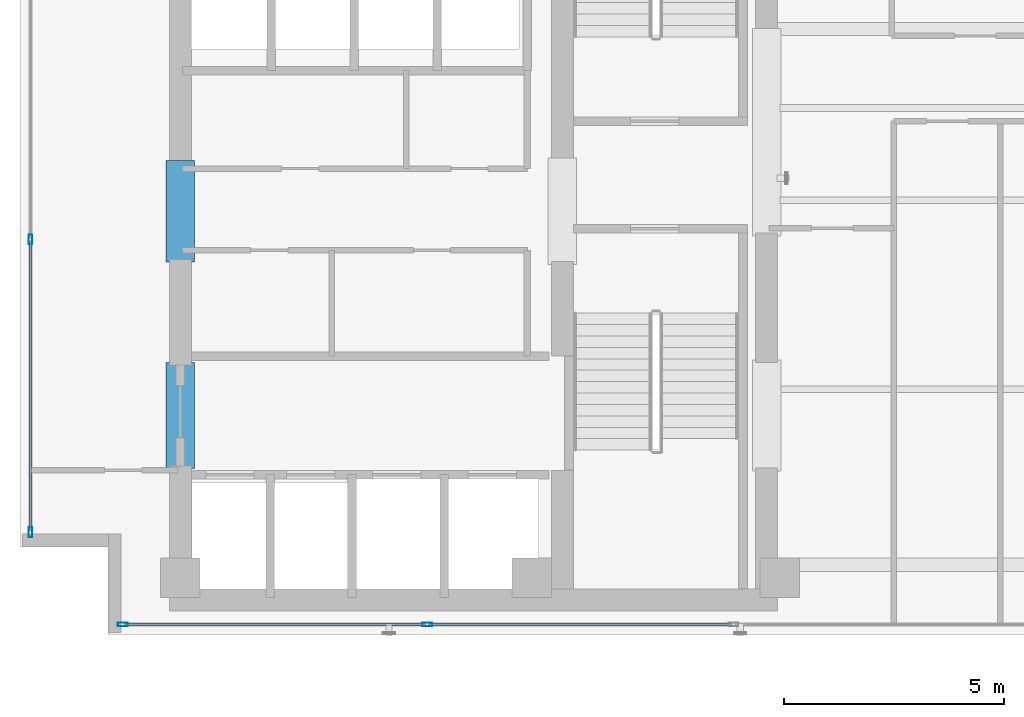
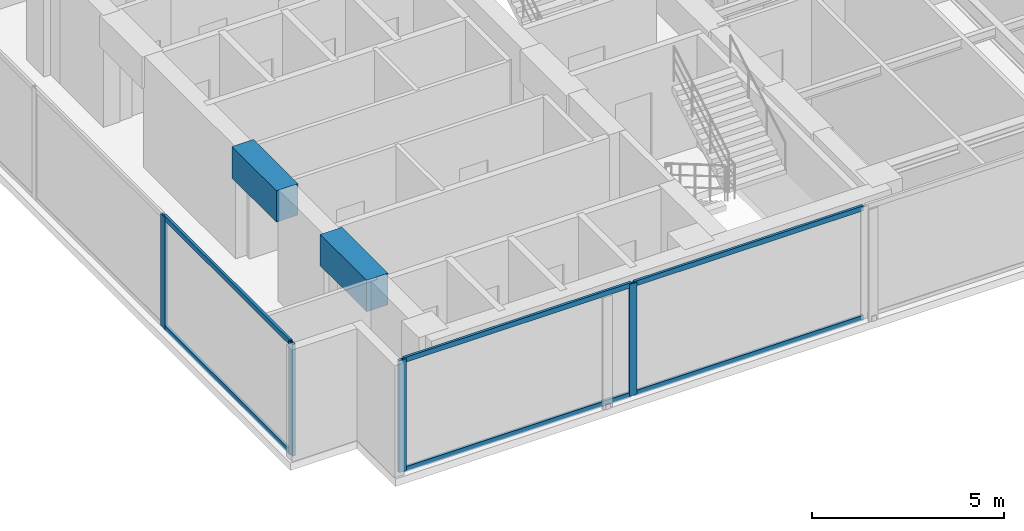
# One storey, part 2 of 24: 10 members, 2 beams, 2 elements without a shape of their own.
"""IFC4 building model written with IfcOpenShell, lengths in metres."""

from ifc_helpers import new_model, si_unit, direction, frame, origin, origin_with_axes, origin_2d, place, context, subcontext, project, spatial, rectangle, hollow_rectangle, extrude, source, transform, mapped, material, layer, layer_set, material_profile, profile_set, type_object, element, aggregate, save


model = new_model("IFC4")

# Units and contexts
model_context = context("Model", 3, precision=1e-05, world=origin(), true_north=direction((0.0, 1.0)))
body_context = subcontext(model_context, "Body", "Model", "MODEL_VIEW")
ifc_project = project(units=[si_unit("LENGTHUNIT", "METRE"), si_unit("AREAUNIT", "SQUARE_METRE"), si_unit("VOLUMEUNIT", "CUBIC_METRE"), si_unit("PLANEANGLEUNIT", "RADIAN"), si_unit("MASSUNIT", "GRAM", prefix="KILO")], contexts=[model_context])

# Site, building, storey
site_placement = place(None, origin())
site = spatial("IfcSite", under=ifc_project, at=site_placement, CompositionType="ELEMENT")
building_placement = place(site_placement, origin())
building = spatial("IfcBuilding", under=site, at=building_placement, Name="Kolvaren Waterfront Exchange", CompositionType="ELEMENT")
storey_placement = place(building_placement, frame((0.0, 0.0, 300.800048828125)))
storey = spatial("IfcBuildingStorey", under=building, at=storey_placement, Name="L77", CompositionType="ELEMENT", Elevation=300.800048828125)

# Beams
ifc_material_1 = material(Name="Concrete C60/75", Category="concrete")
ifc_material_profile_1 = material_profile(ifc_material_1, rectangle(XDim=0.64990234375, YDim=1.0, at=origin_2d()), Name="RC-CB-1000x650")
ifc_profile_set_1 = profile_set([ifc_material_profile_1], Name="Concrete C60/75")
beam_type = type_object("IfcBeamType", Name="STR-CB-1000", PredefinedType="SPANDREL", material=ifc_profile_set_1)
beam_1_placement = place(storey_placement, frame((7.449951171875, 7.389892578125, 3.06005859375), z_axis=(0.0, 1.0, 0.0), x_axis=(-1.0, 0.0, 0.0)))
element("IfcBeam", 1, at=beam_1_placement, inside=storey, type_object=beam_type, Name="L77 core coupling beam 3", PredefinedType="SPANDREL", context=body_context, shape_type="SweptSolid", body=[
    extrude(rectangle(XDim=0.64990234375, YDim=1.0, at=origin_2d()), origin(), (0.0, 0.0, 1.0), 2.420166015625),
])
beam_2_placement = place(storey_placement, frame((7.449951171875, 12.090087890625, 3.06005859375), z_axis=(0.0, 1.0, 0.0), x_axis=(-1.0, 0.0, 0.0)))
element("IfcBeam", 2, at=beam_2_placement, inside=storey, type_object=beam_type, Name="L77 core coupling beam 4", PredefinedType="SPANDREL", context=body_context, shape_type="SweptSolid", body=[
    extrude(rectangle(XDim=0.64990234375, YDim=1.0, at=origin_2d()), origin(), (0.0, 0.0, 1.0), 2.31982421875),
])

# Curtain wall, members
ifc_material_2 = material(Name="Anodised bronze aluminium 6063-T6", Category="aluminium")
ifc_layer_1 = layer(ifc_material_2, 0.219970703125, Name="Anodised bronze aluminium 6063-T6")
ifc_layer_set_1 = layer_set([ifc_layer_1], Name="Anodised bronze aluminium 6063-T6")
curtain_wall_type_1 = type_object("IfcCurtainWallType", Name="ARC-CW-SYS1", PredefinedType="USERDEFINED", material=ifc_layer_set_1)
curtain_wall_1_placement = place(storey_placement, origin())
curtain_wall_1 = element("IfcCurtainWall", 3, at=curtain_wall_1_placement, inside=storey, type_object=curtain_wall_type_1, Name="L77 stick curtain wall CW1 (CW-L77-S)", ObjectType="STICK CURTAIN WALL", PredefinedType="USERDEFINED")
ifc_material_3 = material(Name="Anodised aluminium 6063-T6", Category="aluminium")
ifc_material_profile_2 = material_profile(ifc_material_3, hollow_rectangle(XDim=0.080078125, YDim=0.219970703125, WallThickness=0.0048828125, at=origin_2d()), Name="ALU-MUL-220x80x5")
ifc_profile_set_2 = profile_set([ifc_material_profile_2], Name="Anodised aluminium 6063-T6")
member_type_1 = type_object("IfcMemberType", Name="ARC-CWM-220", PredefinedType="MULLION", material=ifc_profile_set_2)
shared_shape_1 = source(origin_with_axes(), body_context, "Body", "SweptSolid", [
    extrude(hollow_rectangle(XDim=0.080078125, YDim=0.219970703125, WallThickness=0.0048828125, at=origin_2d()), origin(), (0.0, 0.0, 1.0), 3.56005859375),
])
member_1_placement = place(storey_placement, frame((6.139892578125, 3.840087890625, 0.0), z_axis=(0.0, 0.0, 1.0), x_axis=(0.0, 1.0, 0.0)))
member_1 = element("IfcMember", 4, at=member_1_placement, type_object=member_type_1, Name="CW1 mullion 1", PredefinedType="MULLION", context=body_context, shape_type="MappedRepresentation", body=[
    mapped(shared_shape_1, transform((0.0, 0.0, 0.0), x_axis=(1.0, 0.0, 0.0), y_axis=(0.0, 1.0, 0.0), z_axis=(0.0, 0.0, 1.0), scale=1.0)),
])
member_2_placement = place(storey_placement, frame((13.072021484375, 3.840087890625, 0.0), z_axis=(0.0, 0.0, 1.0), x_axis=(0.0, 1.0, 0.0)))
member_2 = element("IfcMember", 5, at=member_2_placement, type_object=member_type_1, Name="CW1 mullion 2", PredefinedType="MULLION", context=body_context, shape_type="MappedRepresentation", body=[
    mapped(shared_shape_1, transform((0.0, 0.0, 0.0), x_axis=(1.0, 0.0, 0.0), y_axis=(0.0, 1.0, 0.0), z_axis=(0.0, 0.0, 1.0), scale=1.0)),
])

ifc_layer_2 = layer(ifc_material_3, 0.219970703125, Name="Anodised aluminium 6063-T6")
ifc_layer_set_2 = layer_set([ifc_layer_2], Name="Anodised aluminium 6063-T6")
curtain_wall_type_2 = type_object("IfcCurtainWallType", Name="ARC-CW-SYS2", PredefinedType="USERDEFINED", material=ifc_layer_set_2)
curtain_wall_2_placement = place(storey_placement, origin())
curtain_wall_2 = element("IfcCurtainWall", 6, at=curtain_wall_2_placement, inside=storey, type_object=curtain_wall_type_2, Name="L77 stick curtain wall CW2 (CW-L77-W)", ObjectType="STICK CURTAIN WALL", PredefinedType="USERDEFINED")
member_3_placement = place(storey_placement, frame((4.0400390625, 5.93994140625, 0.0), z_axis=(0.0, 0.0, 1.0), x_axis=(-1.0, 0.0, 0.0)))
member_3 = element("IfcMember", 7, at=member_3_placement, type_object=member_type_1, Name="CW2 mullion 1", PredefinedType="MULLION", context=body_context, shape_type="MappedRepresentation", body=[
    mapped(shared_shape_1, transform((0.0, 0.0, 0.0), x_axis=(1.0, 0.0, 0.0), y_axis=(0.0, 1.0, 0.0), z_axis=(0.0, 0.0, 1.0), scale=1.0)),
])
member_4_placement = place(storey_placement, frame((4.0400390625, 12.605224609375, 0.0), z_axis=(0.0, 0.0, 1.0), x_axis=(-1.0, 0.0, 0.0)))
member_4 = element("IfcMember", 8, at=member_4_placement, type_object=member_type_1, Name="CW2 mullion 2", PredefinedType="MULLION", context=body_context, shape_type="MappedRepresentation", body=[
    mapped(shared_shape_1, transform((0.0, 0.0, 0.0), x_axis=(1.0, 0.0, 0.0), y_axis=(0.0, 1.0, 0.0), z_axis=(0.0, 0.0, 1.0), scale=1.0)),
])

# Member
ifc_material_profile_3 = material_profile(ifc_material_3, hollow_rectangle(XDim=0.074951171875, YDim=0.159912109375, WallThickness=0.00439453125, at=origin_2d()), Name="ALU-TRN-160x75x4.5")
ifc_profile_set_3 = profile_set([ifc_material_profile_3], Name="Anodised aluminium 6063-T6")
member_type_2 = type_object("IfcMemberType", Name="ARC-CWT-160", PredefinedType="USERDEFINED", material=ifc_profile_set_3)
shared_shape_2 = source(origin_with_axes(), body_context, "Body", "SweptSolid", [
    extrude(hollow_rectangle(XDim=0.074951171875, YDim=0.159912109375, WallThickness=0.00439453125, at=origin_2d()), origin(), (0.0, 0.0, 1.0), 6.85205078125),
])
member_5_placement = place(storey_placement, frame((6.179931640625, 3.840087890625, 0.037353515625), z_axis=(1.0, 0.0, 0.0), x_axis=(0.0, 1.0, 0.0)))
member_5 = element("IfcMember", 9, at=member_5_placement, type_object=member_type_2, Name="CW1 transom 1.1", ObjectType="TRANSOM", PredefinedType="USERDEFINED", context=body_context, shape_type="MappedRepresentation", body=[
    mapped(shared_shape_2, transform((0.0, 0.0, 0.0), x_axis=(1.0, 0.0, 0.0), y_axis=(0.0, 1.0, 0.0), z_axis=(0.0, 0.0, 1.0), scale=1.0)),
])

member_6_placement = place(storey_placement, frame((6.179931640625, 3.840087890625, 3.5224609375), z_axis=(1.0, 0.0, 0.0), x_axis=(0.0, 1.0, 0.0)))
member_6 = element("IfcMember", 10, at=member_6_placement, type_object=member_type_2, Name="CW1 transom 1.2", ObjectType="TRANSOM", PredefinedType="USERDEFINED", context=body_context, shape_type="MappedRepresentation", body=[
    mapped(shared_shape_2, transform((0.0, 0.0, 0.0), x_axis=(1.0, 0.0, 0.0), y_axis=(0.0, 1.0, 0.0), z_axis=(0.0, 0.0, 1.0), scale=1.0)),
])

shared_shape_3 = source(origin_with_axes(), body_context, "Body", "SweptSolid", [
    extrude(hollow_rectangle(XDim=0.074951171875, YDim=0.159912109375, WallThickness=0.00439453125, at=origin_2d()), origin(), (0.0, 0.0, 1.0), 6.89208984375),
])
member_7_placement = place(storey_placement, frame((13.11181640625, 3.840087890625, 0.037353515625), z_axis=(1.0, 0.0, 0.0), x_axis=(0.0, 1.0, 0.0)))
member_7 = element("IfcMember", 11, at=member_7_placement, type_object=member_type_2, Name="CW1 transom 2.1", ObjectType="TRANSOM", PredefinedType="USERDEFINED", context=body_context, shape_type="MappedRepresentation", body=[
    mapped(shared_shape_3, transform((0.0, 0.0, 0.0), x_axis=(1.0, 0.0, 0.0), y_axis=(0.0, 1.0, 0.0), z_axis=(0.0, 0.0, 1.0), scale=1.0)),
])

member_8_placement = place(storey_placement, frame((13.11181640625, 3.840087890625, 3.5224609375), z_axis=(1.0, 0.0, 0.0), x_axis=(0.0, 1.0, 0.0)))
member_8 = element("IfcMember", 12, at=member_8_placement, type_object=member_type_2, Name="CW1 transom 2.2", ObjectType="TRANSOM", PredefinedType="USERDEFINED", context=body_context, shape_type="MappedRepresentation", body=[
    mapped(shared_shape_3, transform((0.0, 0.0, 0.0), x_axis=(1.0, 0.0, 0.0), y_axis=(0.0, 1.0, 0.0), z_axis=(0.0, 0.0, 1.0), scale=1.0)),
])

aggregate(curtain_wall_1, [member_1, member_2, member_5, member_6, member_7, member_8])

shared_shape_4 = source(origin_with_axes(), body_context, "Body", "SweptSolid", [
    extrude(hollow_rectangle(XDim=0.074951171875, YDim=0.159912109375, WallThickness=0.00439453125, at=origin_2d()), origin(), (0.0, 0.0, 1.0), 6.585205078125),
])
member_9_placement = place(storey_placement, frame((4.0400390625, 5.97998046875, 0.037353515625), z_axis=(0.0, 1.0, 0.0), x_axis=(-1.0, 0.0, 0.0)))
member_9 = element("IfcMember", 13, at=member_9_placement, type_object=member_type_2, Name="CW2 transom 1.1", ObjectType="TRANSOM", PredefinedType="USERDEFINED", context=body_context, shape_type="MappedRepresentation", body=[
    mapped(shared_shape_4, transform((0.0, 0.0, 0.0), x_axis=(1.0, 0.0, 0.0), y_axis=(0.0, 1.0, 0.0), z_axis=(0.0, 0.0, 1.0), scale=1.0)),
])

member_10_placement = place(storey_placement, frame((4.0400390625, 5.97998046875, 3.5224609375), z_axis=(0.0, 1.0, 0.0), x_axis=(-1.0, 0.0, 0.0)))
member_10 = element("IfcMember", 14, at=member_10_placement, type_object=member_type_2, Name="CW2 transom 1.2", ObjectType="TRANSOM", PredefinedType="USERDEFINED", context=body_context, shape_type="MappedRepresentation", body=[
    mapped(shared_shape_4, transform((0.0, 0.0, 0.0), x_axis=(1.0, 0.0, 0.0), y_axis=(0.0, 1.0, 0.0), z_axis=(0.0, 0.0, 1.0), scale=1.0)),
])

aggregate(curtain_wall_2, [member_3, member_4, member_9, member_10])

save(model, "model.ifc")
